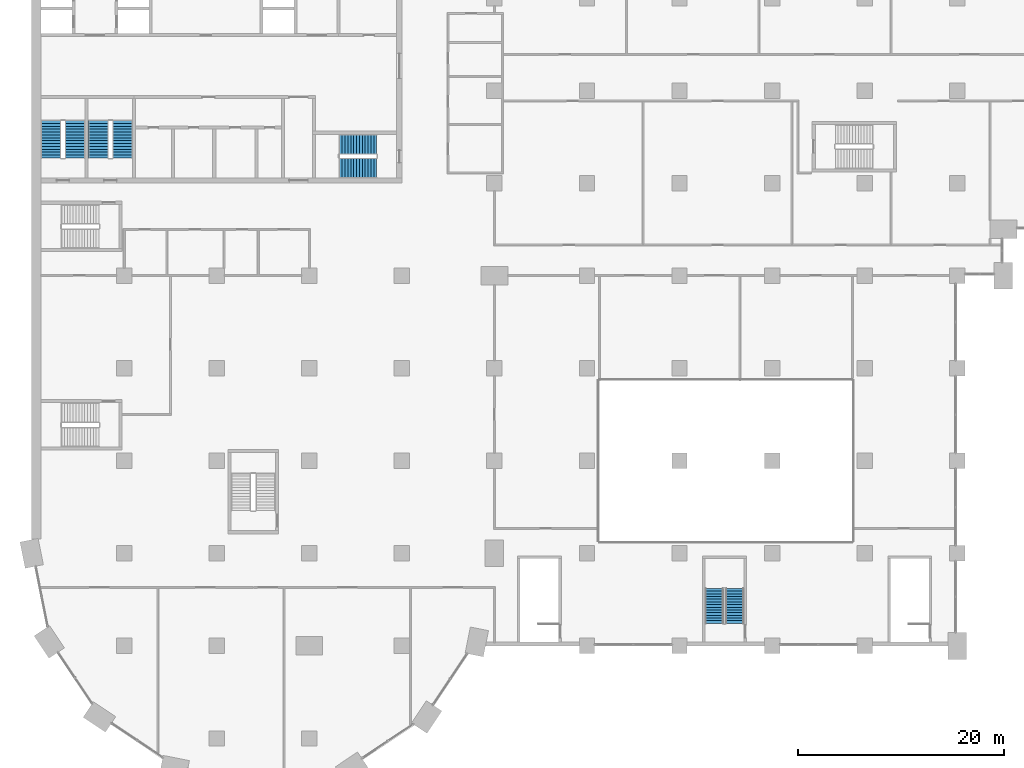
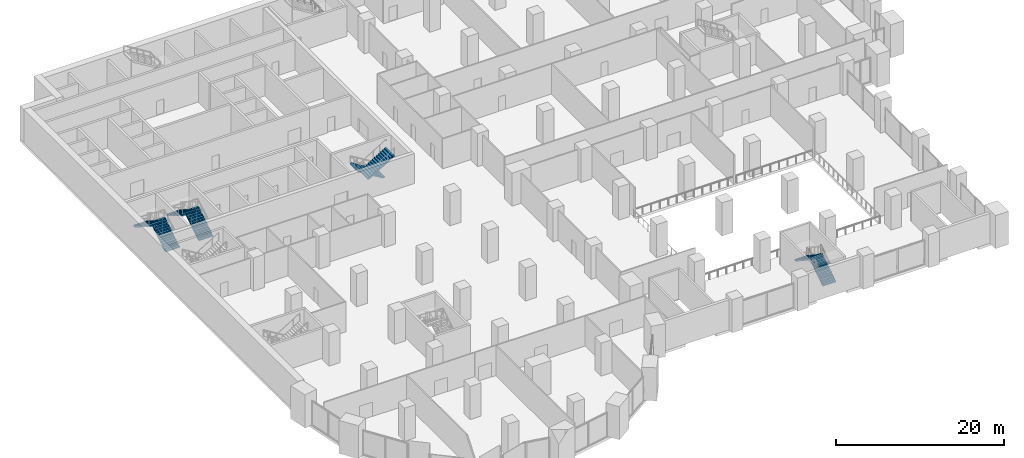
# One storey, part 21 of 32: 8 stair flights, 4 elements without a shape of their own.
"""IFC4 building model written with IfcOpenShell, lengths in metres."""

from ifc_helpers import new_model, si_unit, direction, frame, origin, place, context, subcontext, project, spatial, polyline, outline, extrude, material, type_object, element, aggregate, save


model = new_model("IFC4")

# Units and contexts
model_context = context("Model", 3, precision=1e-05, world=origin(), true_north=direction((0.0, 1.0)))
body_context = subcontext(model_context, "Body", "Model", "MODEL_VIEW")
ifc_project = project(units=[si_unit("LENGTHUNIT", "METRE"), si_unit("AREAUNIT", "SQUARE_METRE"), si_unit("VOLUMEUNIT", "CUBIC_METRE"), si_unit("PLANEANGLEUNIT", "RADIAN"), si_unit("MASSUNIT", "GRAM", prefix="KILO")], contexts=[model_context])

# Site, building, storey
site_placement = place(None, origin())
site = spatial("IfcSite", under=ifc_project, at=site_placement, CompositionType="ELEMENT")
building_placement = place(site_placement, origin())
building = spatial("IfcBuilding", under=site, at=building_placement, Name="Hunhe Ridgeline Campus", CompositionType="ELEMENT")
storey_placement = place(building_placement, frame((0.0, 0.0, 26.39990234375)))
storey = spatial("IfcBuildingStorey", under=building, at=storey_placement, Name="L05", CompositionType="ELEMENT", Elevation=26.39990234375)

# Stair, stair flights
ifc_material = material(Name="Concrete C40", Category="concrete")
stair_type_1 = type_object("IfcStairType", Name="Podium exit stair 1800", PredefinedType="HALF_TURN_STAIR", material=ifc_material)
stair_1_placement = place(storey_placement, origin())
stair_1 = element("IfcStair", 1, at=stair_1_placement, inside=storey, type_object=stair_type_1, Name="L05 podium stair PS2", PredefinedType="HALF_TURN_STAIR")
stair_flight_type_1 = type_object("IfcStairFlightType", Name="Podium stair flight 1800", PredefinedType="STRAIGHT", material=ifc_material)
stair_flight_1_placement = place(storey_placement, frame((68.35009765625, 20.199951171875, 0.0), z_axis=(0.0, 0.0, 1.0), x_axis=(0.0, 1.0, 0.0)))
stair_flight_1 = element("IfcStairFlight", 2, at=stair_flight_1_placement, type_object=stair_flight_type_1, Name="PS2 flight 1", NumberOfRisers=14, NumberOfTreads=13, PredefinedType="STRAIGHT", RiserHeight=0.171428571, TreadLength=0.26, context=body_context, shape_type="SweptSolid", body=[
    extrude(outline(polyline([(0.0, 0.0), (0.0, 0.17138671875), (0.260009765625, 0.17138671875), (0.260009765625, 0.3427734375), (0.52001953125, 0.3427734375), (0.52001953125, 0.514404296875), (0.780029296875, 0.514404296875), (0.780029296875, 0.685791015625), (1.0400390625, 0.685791015625), (1.0400390625, 0.857177734375), (1.300048828125, 0.857177734375), (1.300048828125, 1.028564453125), (1.56005859375, 1.028564453125), (1.56005859375, 1.199951171875), (1.820068359375, 1.199951171875), (1.820068359375, 1.371337890625), (2.080078125, 1.371337890625), (2.080078125, 1.54296875), (2.340087890625, 1.54296875), (2.340087890625, 1.71435546875), (2.60009765625, 1.71435546875), (2.60009765625, 1.8857421875), (2.860107421875, 1.8857421875), (2.860107421875, 2.05712890625), (3.1201171875, 2.05712890625), (3.1201171875, 2.228515625), (3.3798828125, 2.228515625), (3.3798828125, 2.39990234375), (3.3798828125, 2.049072265625), (0.272216796875, 0.0), (0.0, 0.0)])), frame((0.0, 0.89990234375, 0.0), z_axis=(0.0, -1.0, 0.0), x_axis=(1.0, 0.0, 0.0)), (0.0, 0.0, 1.0), 1.800048828125),
])
stair_flight_2_placement = place(storey_placement, frame((66.39990234375, 23.580078125, 2.400146484375), z_axis=(0.0, 0.0, 1.0), x_axis=(0.0, -1.0, 0.0)))
stair_flight_2 = element("IfcStairFlight", 3, at=stair_flight_2_placement, type_object=stair_flight_type_1, Name="PS2 flight 2", NumberOfRisers=14, NumberOfTreads=13, PredefinedType="STRAIGHT", RiserHeight=0.171428571, TreadLength=0.26, context=body_context, shape_type="SweptSolid", body=[
    extrude(outline(polyline([(0.0, 0.0), (0.0, 0.17138671875), (0.260009765625, 0.17138671875), (0.260009765625, 0.3427734375), (0.52001953125, 0.3427734375), (0.52001953125, 0.514404296875), (0.780029296875, 0.514404296875), (0.780029296875, 0.685791015625), (1.0400390625, 0.685791015625), (1.0400390625, 0.857177734375), (1.300048828125, 0.857177734375), (1.300048828125, 1.028564453125), (1.56005859375, 1.028564453125), (1.56005859375, 1.199951171875), (1.820068359375, 1.199951171875), (1.820068359375, 1.371337890625), (2.080078125, 1.371337890625), (2.080078125, 1.54296875), (2.340087890625, 1.54296875), (2.340087890625, 1.71435546875), (2.60009765625, 1.71435546875), (2.60009765625, 1.8857421875), (2.860107421875, 1.8857421875), (2.860107421875, 2.05712890625), (3.1201171875, 2.05712890625), (3.1201171875, 2.228515625), (3.3798828125, 2.228515625), (3.3798828125, 2.39990234375), (3.3798828125, 2.049072265625), (0.272216796875, 0.0), (0.0, 0.0)])), frame((0.0, 0.89990234375, 0.0), z_axis=(0.0, -1.0, 0.0), x_axis=(1.0, 0.0, 0.0)), (0.0, 0.0, 1.0), 1.800048828125),
])
aggregate(stair_1, [stair_flight_1, stair_flight_2])

stair_type_2 = type_object("IfcStairType", Name="Reinforced concrete dog-leg stair 1950 Concrete C40", PredefinedType="HALF_TURN_STAIR", material=ifc_material)
stair_2_placement = place(storey_placement, origin())
stair_2 = element("IfcStair", 4, at=stair_2_placement, inside=storey, type_object=stair_type_2, Name="L05 S2", PredefinedType="HALF_TURN_STAIR")
stair_flight_type_2 = type_object("IfcStairFlightType", Name="Reinforced concrete stair flight 1950 Concrete C40", PredefinedType="STRAIGHT", material=ifc_material)
stair_flight_3_placement = place(storey_placement, frame((33.550048828125, 66.77490234375, 0.0), z_axis=(0.0, 0.0, 1.0), x_axis=(-1.0, 0.0, 0.0)))
stair_flight_3 = element("IfcStairFlight", 5, at=stair_flight_3_placement, type_object=stair_flight_type_2, Name="ST2 flight 1", NumberOfRisers=14, NumberOfTreads=13, PredefinedType="STRAIGHT", RiserHeight=0.171428571, TreadLength=0.28, context=body_context, shape_type="SweptSolid", body=[
    extrude(outline(polyline([(0.0, 0.0), (0.0, 0.17138671875), (0.280029296875, 0.17138671875), (0.280029296875, 0.3427734375), (0.56005859375, 0.3427734375), (0.56005859375, 0.514404296875), (0.840087890625, 0.514404296875), (0.840087890625, 0.685791015625), (1.1201171875, 0.685791015625), (1.1201171875, 0.857177734375), (1.39990234375, 0.857177734375), (1.39990234375, 1.028564453125), (1.679931640625, 1.028564453125), (1.679931640625, 1.199951171875), (1.9599609375, 1.199951171875), (1.9599609375, 1.371337890625), (2.239990234375, 1.371337890625), (2.239990234375, 1.54296875), (2.52001953125, 1.54296875), (2.52001953125, 1.71435546875), (2.800048828125, 1.71435546875), (2.800048828125, 1.8857421875), (3.080078125, 1.8857421875), (3.080078125, 2.05712890625), (3.360107421875, 2.05712890625), (3.360107421875, 2.228515625), (3.639892578125, 2.228515625), (3.639892578125, 2.39990234375), (3.639892578125, 2.052734375), (0.287109375, 0.0), (0.0, 0.0)])), frame((0.0, 0.97509765625, 0.0), z_axis=(0.0, -1.0, 0.0), x_axis=(1.0, 0.0, 0.0)), (0.0, 0.0, 1.0), 1.949951171875),
    extrude(outline(polyline([(0.030029296875, 0.030029296875), (0.030029296875, 0.141357421875), (0.31005859375, 0.141357421875), (0.31005859375, 0.31298828125), (0.590087890625, 0.31298828125), (0.590087890625, 0.484375), (0.8701171875, 0.484375), (0.8701171875, 0.65576171875), (1.14990234375, 0.65576171875), (1.14990234375, 0.8271484375), (1.429931640625, 0.8271484375), (1.429931640625, 0.99853515625), (1.7099609375, 0.99853515625), (1.7099609375, 1.169921875), (1.989990234375, 1.169921875), (1.989990234375, 1.34130859375), (2.27001953125, 1.34130859375), (2.27001953125, 1.512939453125), (2.550048828125, 1.512939453125), (2.550048828125, 1.684326171875), (2.830078125, 1.684326171875), (2.830078125, 1.855712890625), (3.110107421875, 1.855712890625), (3.110107421875, 2.027099609375), (3.389892578125, 2.027099609375), (3.389892578125, 2.198486328125), (3.610107421875, 2.198486328125), (3.610107421875, 2.069580078125), (0.278564453125, 0.030029296875), (0.030029296875, 0.030029296875)])), frame((0.0, -0.070068359375, 0.0), z_axis=(0.0, -1.0, 0.0), x_axis=(1.0, 0.0, 0.0)), (0.0, 0.0, 1.0), 0.019775390625),
    extrude(outline(polyline([(0.030029296875, 0.030029296875), (0.030029296875, 0.141357421875), (0.31005859375, 0.141357421875), (0.31005859375, 0.31298828125), (0.590087890625, 0.31298828125), (0.590087890625, 0.484375), (0.8701171875, 0.484375), (0.8701171875, 0.65576171875), (1.14990234375, 0.65576171875), (1.14990234375, 0.8271484375), (1.429931640625, 0.8271484375), (1.429931640625, 0.99853515625), (1.7099609375, 0.99853515625), (1.7099609375, 1.169921875), (1.989990234375, 1.169921875), (1.989990234375, 1.34130859375), (2.27001953125, 1.34130859375), (2.27001953125, 1.512939453125), (2.550048828125, 1.512939453125), (2.550048828125, 1.684326171875), (2.830078125, 1.684326171875), (2.830078125, 1.855712890625), (3.110107421875, 1.855712890625), (3.110107421875, 2.027099609375), (3.389892578125, 2.027099609375), (3.389892578125, 2.198486328125), (3.610107421875, 2.198486328125), (3.610107421875, 2.069580078125), (0.278564453125, 0.030029296875), (0.030029296875, 0.030029296875)])), frame((0.0, 0.010009765625, 0.0), z_axis=(0.0, -1.0, 0.0), x_axis=(1.0, 0.0, 0.0)), (0.0, 0.0, 1.0), 0.019775390625),
    extrude(outline(polyline([(0.030029296875, 0.030029296875), (0.030029296875, 0.141357421875), (0.31005859375, 0.141357421875), (0.31005859375, 0.31298828125), (0.590087890625, 0.31298828125), (0.590087890625, 0.484375), (0.8701171875, 0.484375), (0.8701171875, 0.65576171875), (1.14990234375, 0.65576171875), (1.14990234375, 0.8271484375), (1.429931640625, 0.8271484375), (1.429931640625, 0.99853515625), (1.7099609375, 0.99853515625), (1.7099609375, 1.169921875), (1.989990234375, 1.169921875), (1.989990234375, 1.34130859375), (2.27001953125, 1.34130859375), (2.27001953125, 1.512939453125), (2.550048828125, 1.512939453125), (2.550048828125, 1.684326171875), (2.830078125, 1.684326171875), (2.830078125, 1.855712890625), (3.110107421875, 1.855712890625), (3.110107421875, 2.027099609375), (3.389892578125, 2.027099609375), (3.389892578125, 2.198486328125), (3.610107421875, 2.198486328125), (3.610107421875, 2.069580078125), (0.278564453125, 0.030029296875), (0.030029296875, 0.030029296875)])), frame((0.0, 0.090087890625, 0.0), z_axis=(0.0, -1.0, 0.0), x_axis=(1.0, 0.0, 0.0)), (0.0, 0.0, 1.0), 0.019775390625),
])
stair_flight_4_placement = place(storey_placement, frame((29.909912109375, 64.47509765625, 2.400146484375), z_axis=(0.0, 0.0, 1.0), x_axis=(1.0, 0.0, 0.0)))
stair_flight_4 = element("IfcStairFlight", 6, at=stair_flight_4_placement, type_object=stair_flight_type_2, Name="ST2 flight 2", NumberOfRisers=14, NumberOfTreads=13, PredefinedType="STRAIGHT", RiserHeight=0.171428571, TreadLength=0.28, context=body_context, shape_type="SweptSolid", body=[
    extrude(outline(polyline([(0.0, 0.0), (0.0, 0.17138671875), (0.280029296875, 0.17138671875), (0.280029296875, 0.3427734375), (0.56005859375, 0.3427734375), (0.56005859375, 0.514404296875), (0.840087890625, 0.514404296875), (0.840087890625, 0.685791015625), (1.1201171875, 0.685791015625), (1.1201171875, 0.857177734375), (1.39990234375, 0.857177734375), (1.39990234375, 1.028564453125), (1.679931640625, 1.028564453125), (1.679931640625, 1.199951171875), (1.9599609375, 1.199951171875), (1.9599609375, 1.371337890625), (2.239990234375, 1.371337890625), (2.239990234375, 1.54296875), (2.52001953125, 1.54296875), (2.52001953125, 1.71435546875), (2.800048828125, 1.71435546875), (2.800048828125, 1.8857421875), (3.080078125, 1.8857421875), (3.080078125, 2.05712890625), (3.360107421875, 2.05712890625), (3.360107421875, 2.228515625), (3.639892578125, 2.228515625), (3.639892578125, 2.39990234375), (3.639892578125, 2.052734375), (0.287109375, 0.0), (0.0, 0.0)])), frame((0.0, 0.97509765625, 0.0), z_axis=(0.0, -1.0, 0.0), x_axis=(1.0, 0.0, 0.0)), (0.0, 0.0, 1.0), 1.949951171875),
    extrude(outline(polyline([(0.030029296875, 0.030029296875), (0.030029296875, 0.141357421875), (0.31005859375, 0.141357421875), (0.31005859375, 0.31298828125), (0.590087890625, 0.31298828125), (0.590087890625, 0.484375), (0.8701171875, 0.484375), (0.8701171875, 0.65576171875), (1.14990234375, 0.65576171875), (1.14990234375, 0.8271484375), (1.429931640625, 0.8271484375), (1.429931640625, 0.99853515625), (1.7099609375, 0.99853515625), (1.7099609375, 1.169921875), (1.989990234375, 1.169921875), (1.989990234375, 1.34130859375), (2.27001953125, 1.34130859375), (2.27001953125, 1.512939453125), (2.550048828125, 1.512939453125), (2.550048828125, 1.684326171875), (2.830078125, 1.684326171875), (2.830078125, 1.855712890625), (3.110107421875, 1.855712890625), (3.110107421875, 2.027099609375), (3.389892578125, 2.027099609375), (3.389892578125, 2.198486328125), (3.610107421875, 2.198486328125), (3.610107421875, 2.069580078125), (0.278564453125, 0.030029296875), (0.030029296875, 0.030029296875)])), frame((0.0, -0.070068359375, 0.0), z_axis=(0.0, -1.0, 0.0), x_axis=(1.0, 0.0, 0.0)), (0.0, 0.0, 1.0), 0.019775390625),
    extrude(outline(polyline([(0.030029296875, 0.030029296875), (0.030029296875, 0.141357421875), (0.31005859375, 0.141357421875), (0.31005859375, 0.31298828125), (0.590087890625, 0.31298828125), (0.590087890625, 0.484375), (0.8701171875, 0.484375), (0.8701171875, 0.65576171875), (1.14990234375, 0.65576171875), (1.14990234375, 0.8271484375), (1.429931640625, 0.8271484375), (1.429931640625, 0.99853515625), (1.7099609375, 0.99853515625), (1.7099609375, 1.169921875), (1.989990234375, 1.169921875), (1.989990234375, 1.34130859375), (2.27001953125, 1.34130859375), (2.27001953125, 1.512939453125), (2.550048828125, 1.512939453125), (2.550048828125, 1.684326171875), (2.830078125, 1.684326171875), (2.830078125, 1.855712890625), (3.110107421875, 1.855712890625), (3.110107421875, 2.027099609375), (3.389892578125, 2.027099609375), (3.389892578125, 2.198486328125), (3.610107421875, 2.198486328125), (3.610107421875, 2.069580078125), (0.278564453125, 0.030029296875), (0.030029296875, 0.030029296875)])), frame((0.0, 0.010009765625, 0.0), z_axis=(0.0, -1.0, 0.0), x_axis=(1.0, 0.0, 0.0)), (0.0, 0.0, 1.0), 0.019775390625),
    extrude(outline(polyline([(0.030029296875, 0.030029296875), (0.030029296875, 0.141357421875), (0.31005859375, 0.141357421875), (0.31005859375, 0.31298828125), (0.590087890625, 0.31298828125), (0.590087890625, 0.484375), (0.8701171875, 0.484375), (0.8701171875, 0.65576171875), (1.14990234375, 0.65576171875), (1.14990234375, 0.8271484375), (1.429931640625, 0.8271484375), (1.429931640625, 0.99853515625), (1.7099609375, 0.99853515625), (1.7099609375, 1.169921875), (1.989990234375, 1.169921875), (1.989990234375, 1.34130859375), (2.27001953125, 1.34130859375), (2.27001953125, 1.512939453125), (2.550048828125, 1.512939453125), (2.550048828125, 1.684326171875), (2.830078125, 1.684326171875), (2.830078125, 1.855712890625), (3.110107421875, 1.855712890625), (3.110107421875, 2.027099609375), (3.389892578125, 2.027099609375), (3.389892578125, 2.198486328125), (3.610107421875, 2.198486328125), (3.610107421875, 2.069580078125), (0.278564453125, 0.030029296875), (0.030029296875, 0.030029296875)])), frame((0.0, 0.090087890625, 0.0), z_axis=(0.0, -1.0, 0.0), x_axis=(1.0, 0.0, 0.0)), (0.0, 0.0, 1.0), 0.019775390625),
])
aggregate(stair_2, [stair_flight_3, stair_flight_4])

stair_3_placement = place(storey_placement, origin())
stair_3 = element("IfcStair", 7, at=stair_3_placement, inside=storey, type_object=stair_type_2, Name="L05 S3", PredefinedType="HALF_TURN_STAIR")
stair_flight_5_placement = place(storey_placement, frame((4.22509765625, 65.449951171875, 0.0), z_axis=(0.0, 0.0, 1.0), x_axis=(0.0, 1.0, 0.0)))
stair_flight_5 = element("IfcStairFlight", 8, at=stair_flight_5_placement, type_object=stair_flight_type_2, Name="ST3 flight 1", NumberOfRisers=14, NumberOfTreads=13, PredefinedType="STRAIGHT", RiserHeight=0.171428571, TreadLength=0.28, context=body_context, shape_type="SweptSolid", body=[
    extrude(outline(polyline([(0.0, 0.0), (0.0, 0.17138671875), (0.280029296875, 0.17138671875), (0.280029296875, 0.3427734375), (0.56005859375, 0.3427734375), (0.56005859375, 0.514404296875), (0.840087890625, 0.514404296875), (0.840087890625, 0.685791015625), (1.1201171875, 0.685791015625), (1.1201171875, 0.857177734375), (1.39990234375, 0.857177734375), (1.39990234375, 1.028564453125), (1.679931640625, 1.028564453125), (1.679931640625, 1.199951171875), (1.9599609375, 1.199951171875), (1.9599609375, 1.371337890625), (2.239990234375, 1.371337890625), (2.239990234375, 1.54296875), (2.52001953125, 1.54296875), (2.52001953125, 1.71435546875), (2.800048828125, 1.71435546875), (2.800048828125, 1.8857421875), (3.080078125, 1.8857421875), (3.080078125, 2.05712890625), (3.360107421875, 2.05712890625), (3.360107421875, 2.228515625), (3.639892578125, 2.228515625), (3.639892578125, 2.39990234375), (3.639892578125, 2.052734375), (0.287109375, 0.0), (0.0, 0.0)])), frame((0.0, 0.97509765625, 0.0), z_axis=(0.0, -1.0, 0.0), x_axis=(1.0, 0.0, 0.0)), (0.0, 0.0, 1.0), 1.949951171875),
    extrude(outline(polyline([(0.030029296875, 0.030029296875), (0.030029296875, 0.141357421875), (0.31005859375, 0.141357421875), (0.31005859375, 0.31298828125), (0.590087890625, 0.31298828125), (0.590087890625, 0.484375), (0.8701171875, 0.484375), (0.8701171875, 0.65576171875), (1.14990234375, 0.65576171875), (1.14990234375, 0.8271484375), (1.429931640625, 0.8271484375), (1.429931640625, 0.99853515625), (1.7099609375, 0.99853515625), (1.7099609375, 1.169921875), (1.989990234375, 1.169921875), (1.989990234375, 1.34130859375), (2.27001953125, 1.34130859375), (2.27001953125, 1.512939453125), (2.550048828125, 1.512939453125), (2.550048828125, 1.684326171875), (2.830078125, 1.684326171875), (2.830078125, 1.855712890625), (3.110107421875, 1.855712890625), (3.110107421875, 2.027099609375), (3.389892578125, 2.027099609375), (3.389892578125, 2.198486328125), (3.610107421875, 2.198486328125), (3.610107421875, 2.069580078125), (0.278564453125, 0.030029296875), (0.030029296875, 0.030029296875)])), frame((0.0, -0.070068359375, 0.0), z_axis=(0.0, -1.0, 0.0), x_axis=(1.0, 0.0, 0.0)), (0.0, 0.0, 1.0), 0.019775390625),
    extrude(outline(polyline([(0.030029296875, 0.030029296875), (0.030029296875, 0.141357421875), (0.31005859375, 0.141357421875), (0.31005859375, 0.31298828125), (0.590087890625, 0.31298828125), (0.590087890625, 0.484375), (0.8701171875, 0.484375), (0.8701171875, 0.65576171875), (1.14990234375, 0.65576171875), (1.14990234375, 0.8271484375), (1.429931640625, 0.8271484375), (1.429931640625, 0.99853515625), (1.7099609375, 0.99853515625), (1.7099609375, 1.169921875), (1.989990234375, 1.169921875), (1.989990234375, 1.34130859375), (2.27001953125, 1.34130859375), (2.27001953125, 1.512939453125), (2.550048828125, 1.512939453125), (2.550048828125, 1.684326171875), (2.830078125, 1.684326171875), (2.830078125, 1.855712890625), (3.110107421875, 1.855712890625), (3.110107421875, 2.027099609375), (3.389892578125, 2.027099609375), (3.389892578125, 2.198486328125), (3.610107421875, 2.198486328125), (3.610107421875, 2.069580078125), (0.278564453125, 0.030029296875), (0.030029296875, 0.030029296875)])), frame((0.0, 0.010009765625, 0.0), z_axis=(0.0, -1.0, 0.0), x_axis=(1.0, 0.0, 0.0)), (0.0, 0.0, 1.0), 0.019775390625),
    extrude(outline(polyline([(0.030029296875, 0.030029296875), (0.030029296875, 0.141357421875), (0.31005859375, 0.141357421875), (0.31005859375, 0.31298828125), (0.590087890625, 0.31298828125), (0.590087890625, 0.484375), (0.8701171875, 0.484375), (0.8701171875, 0.65576171875), (1.14990234375, 0.65576171875), (1.14990234375, 0.8271484375), (1.429931640625, 0.8271484375), (1.429931640625, 0.99853515625), (1.7099609375, 0.99853515625), (1.7099609375, 1.169921875), (1.989990234375, 1.169921875), (1.989990234375, 1.34130859375), (2.27001953125, 1.34130859375), (2.27001953125, 1.512939453125), (2.550048828125, 1.512939453125), (2.550048828125, 1.684326171875), (2.830078125, 1.684326171875), (2.830078125, 1.855712890625), (3.110107421875, 1.855712890625), (3.110107421875, 2.027099609375), (3.389892578125, 2.027099609375), (3.389892578125, 2.198486328125), (3.610107421875, 2.198486328125), (3.610107421875, 2.069580078125), (0.278564453125, 0.030029296875), (0.030029296875, 0.030029296875)])), frame((0.0, 0.090087890625, 0.0), z_axis=(0.0, -1.0, 0.0), x_axis=(1.0, 0.0, 0.0)), (0.0, 0.0, 1.0), 0.019775390625),
])
stair_flight_6_placement = place(storey_placement, frame((1.875, 69.090087890625, 2.400146484375), z_axis=(0.0, 0.0, 1.0), x_axis=(0.0, -1.0, 0.0)))
stair_flight_6 = element("IfcStairFlight", 9, at=stair_flight_6_placement, type_object=stair_flight_type_2, Name="ST3 flight 2", NumberOfRisers=14, NumberOfTreads=13, PredefinedType="STRAIGHT", RiserHeight=0.171428571, TreadLength=0.28, context=body_context, shape_type="SweptSolid", body=[
    extrude(outline(polyline([(0.0, 0.0), (0.0, 0.17138671875), (0.280029296875, 0.17138671875), (0.280029296875, 0.3427734375), (0.56005859375, 0.3427734375), (0.56005859375, 0.514404296875), (0.840087890625, 0.514404296875), (0.840087890625, 0.685791015625), (1.1201171875, 0.685791015625), (1.1201171875, 0.857177734375), (1.39990234375, 0.857177734375), (1.39990234375, 1.028564453125), (1.679931640625, 1.028564453125), (1.679931640625, 1.199951171875), (1.9599609375, 1.199951171875), (1.9599609375, 1.371337890625), (2.239990234375, 1.371337890625), (2.239990234375, 1.54296875), (2.52001953125, 1.54296875), (2.52001953125, 1.71435546875), (2.800048828125, 1.71435546875), (2.800048828125, 1.8857421875), (3.080078125, 1.8857421875), (3.080078125, 2.05712890625), (3.360107421875, 2.05712890625), (3.360107421875, 2.228515625), (3.639892578125, 2.228515625), (3.639892578125, 2.39990234375), (3.639892578125, 2.052734375), (0.287109375, 0.0), (0.0, 0.0)])), frame((0.0, 0.97509765625, 0.0), z_axis=(0.0, -1.0, 0.0), x_axis=(1.0, 0.0, 0.0)), (0.0, 0.0, 1.0), 1.949951171875),
    extrude(outline(polyline([(0.030029296875, 0.030029296875), (0.030029296875, 0.141357421875), (0.31005859375, 0.141357421875), (0.31005859375, 0.31298828125), (0.590087890625, 0.31298828125), (0.590087890625, 0.484375), (0.8701171875, 0.484375), (0.8701171875, 0.65576171875), (1.14990234375, 0.65576171875), (1.14990234375, 0.8271484375), (1.429931640625, 0.8271484375), (1.429931640625, 0.99853515625), (1.7099609375, 0.99853515625), (1.7099609375, 1.169921875), (1.989990234375, 1.169921875), (1.989990234375, 1.34130859375), (2.27001953125, 1.34130859375), (2.27001953125, 1.512939453125), (2.550048828125, 1.512939453125), (2.550048828125, 1.684326171875), (2.830078125, 1.684326171875), (2.830078125, 1.855712890625), (3.110107421875, 1.855712890625), (3.110107421875, 2.027099609375), (3.389892578125, 2.027099609375), (3.389892578125, 2.198486328125), (3.610107421875, 2.198486328125), (3.610107421875, 2.069580078125), (0.278564453125, 0.030029296875), (0.030029296875, 0.030029296875)])), frame((0.0, -0.070068359375, 0.0), z_axis=(0.0, -1.0, 0.0), x_axis=(1.0, 0.0, 0.0)), (0.0, 0.0, 1.0), 0.019775390625),
    extrude(outline(polyline([(0.030029296875, 0.030029296875), (0.030029296875, 0.141357421875), (0.31005859375, 0.141357421875), (0.31005859375, 0.31298828125), (0.590087890625, 0.31298828125), (0.590087890625, 0.484375), (0.8701171875, 0.484375), (0.8701171875, 0.65576171875), (1.14990234375, 0.65576171875), (1.14990234375, 0.8271484375), (1.429931640625, 0.8271484375), (1.429931640625, 0.99853515625), (1.7099609375, 0.99853515625), (1.7099609375, 1.169921875), (1.989990234375, 1.169921875), (1.989990234375, 1.34130859375), (2.27001953125, 1.34130859375), (2.27001953125, 1.512939453125), (2.550048828125, 1.512939453125), (2.550048828125, 1.684326171875), (2.830078125, 1.684326171875), (2.830078125, 1.855712890625), (3.110107421875, 1.855712890625), (3.110107421875, 2.027099609375), (3.389892578125, 2.027099609375), (3.389892578125, 2.198486328125), (3.610107421875, 2.198486328125), (3.610107421875, 2.069580078125), (0.278564453125, 0.030029296875), (0.030029296875, 0.030029296875)])), frame((0.0, 0.010009765625, 0.0), z_axis=(0.0, -1.0, 0.0), x_axis=(1.0, 0.0, 0.0)), (0.0, 0.0, 1.0), 0.019775390625),
    extrude(outline(polyline([(0.030029296875, 0.030029296875), (0.030029296875, 0.141357421875), (0.31005859375, 0.141357421875), (0.31005859375, 0.31298828125), (0.590087890625, 0.31298828125), (0.590087890625, 0.484375), (0.8701171875, 0.484375), (0.8701171875, 0.65576171875), (1.14990234375, 0.65576171875), (1.14990234375, 0.8271484375), (1.429931640625, 0.8271484375), (1.429931640625, 0.99853515625), (1.7099609375, 0.99853515625), (1.7099609375, 1.169921875), (1.989990234375, 1.169921875), (1.989990234375, 1.34130859375), (2.27001953125, 1.34130859375), (2.27001953125, 1.512939453125), (2.550048828125, 1.512939453125), (2.550048828125, 1.684326171875), (2.830078125, 1.684326171875), (2.830078125, 1.855712890625), (3.110107421875, 1.855712890625), (3.110107421875, 2.027099609375), (3.389892578125, 2.027099609375), (3.389892578125, 2.198486328125), (3.610107421875, 2.198486328125), (3.610107421875, 2.069580078125), (0.278564453125, 0.030029296875), (0.030029296875, 0.030029296875)])), frame((0.0, 0.090087890625, 0.0), z_axis=(0.0, -1.0, 0.0), x_axis=(1.0, 0.0, 0.0)), (0.0, 0.0, 1.0), 0.019775390625),
])
aggregate(stair_3, [stair_flight_5, stair_flight_6])

stair_4_placement = place(storey_placement, origin())
stair_4 = element("IfcStair", 10, at=stair_4_placement, inside=storey, type_object=stair_type_2, Name="L05 S4", PredefinedType="HALF_TURN_STAIR")
stair_flight_7_placement = place(storey_placement, frame((8.824951171875, 65.449951171875, 0.0), z_axis=(0.0, 0.0, 1.0), x_axis=(0.0, 1.0, 0.0)))
stair_flight_7 = element("IfcStairFlight", 11, at=stair_flight_7_placement, type_object=stair_flight_type_2, Name="ST4 flight 1", NumberOfRisers=14, NumberOfTreads=13, PredefinedType="STRAIGHT", RiserHeight=0.171428571, TreadLength=0.28, context=body_context, shape_type="SweptSolid", body=[
    extrude(outline(polyline([(0.0, 0.0), (0.0, 0.17138671875), (0.280029296875, 0.17138671875), (0.280029296875, 0.3427734375), (0.56005859375, 0.3427734375), (0.56005859375, 0.514404296875), (0.840087890625, 0.514404296875), (0.840087890625, 0.685791015625), (1.1201171875, 0.685791015625), (1.1201171875, 0.857177734375), (1.39990234375, 0.857177734375), (1.39990234375, 1.028564453125), (1.679931640625, 1.028564453125), (1.679931640625, 1.199951171875), (1.9599609375, 1.199951171875), (1.9599609375, 1.371337890625), (2.239990234375, 1.371337890625), (2.239990234375, 1.54296875), (2.52001953125, 1.54296875), (2.52001953125, 1.71435546875), (2.800048828125, 1.71435546875), (2.800048828125, 1.8857421875), (3.080078125, 1.8857421875), (3.080078125, 2.05712890625), (3.360107421875, 2.05712890625), (3.360107421875, 2.228515625), (3.639892578125, 2.228515625), (3.639892578125, 2.39990234375), (3.639892578125, 2.052734375), (0.287109375, 0.0), (0.0, 0.0)])), frame((0.0, 0.97509765625, 0.0), z_axis=(0.0, -1.0, 0.0), x_axis=(1.0, 0.0, 0.0)), (0.0, 0.0, 1.0), 1.949951171875),
    extrude(outline(polyline([(0.030029296875, 0.030029296875), (0.030029296875, 0.141357421875), (0.31005859375, 0.141357421875), (0.31005859375, 0.31298828125), (0.590087890625, 0.31298828125), (0.590087890625, 0.484375), (0.8701171875, 0.484375), (0.8701171875, 0.65576171875), (1.14990234375, 0.65576171875), (1.14990234375, 0.8271484375), (1.429931640625, 0.8271484375), (1.429931640625, 0.99853515625), (1.7099609375, 0.99853515625), (1.7099609375, 1.169921875), (1.989990234375, 1.169921875), (1.989990234375, 1.34130859375), (2.27001953125, 1.34130859375), (2.27001953125, 1.512939453125), (2.550048828125, 1.512939453125), (2.550048828125, 1.684326171875), (2.830078125, 1.684326171875), (2.830078125, 1.855712890625), (3.110107421875, 1.855712890625), (3.110107421875, 2.027099609375), (3.389892578125, 2.027099609375), (3.389892578125, 2.198486328125), (3.610107421875, 2.198486328125), (3.610107421875, 2.069580078125), (0.278564453125, 0.030029296875), (0.030029296875, 0.030029296875)])), frame((0.0, -0.070068359375, 0.0), z_axis=(0.0, -1.0, 0.0), x_axis=(1.0, 0.0, 0.0)), (0.0, 0.0, 1.0), 0.019775390625),
    extrude(outline(polyline([(0.030029296875, 0.030029296875), (0.030029296875, 0.141357421875), (0.31005859375, 0.141357421875), (0.31005859375, 0.31298828125), (0.590087890625, 0.31298828125), (0.590087890625, 0.484375), (0.8701171875, 0.484375), (0.8701171875, 0.65576171875), (1.14990234375, 0.65576171875), (1.14990234375, 0.8271484375), (1.429931640625, 0.8271484375), (1.429931640625, 0.99853515625), (1.7099609375, 0.99853515625), (1.7099609375, 1.169921875), (1.989990234375, 1.169921875), (1.989990234375, 1.34130859375), (2.27001953125, 1.34130859375), (2.27001953125, 1.512939453125), (2.550048828125, 1.512939453125), (2.550048828125, 1.684326171875), (2.830078125, 1.684326171875), (2.830078125, 1.855712890625), (3.110107421875, 1.855712890625), (3.110107421875, 2.027099609375), (3.389892578125, 2.027099609375), (3.389892578125, 2.198486328125), (3.610107421875, 2.198486328125), (3.610107421875, 2.069580078125), (0.278564453125, 0.030029296875), (0.030029296875, 0.030029296875)])), frame((0.0, 0.010009765625, 0.0), z_axis=(0.0, -1.0, 0.0), x_axis=(1.0, 0.0, 0.0)), (0.0, 0.0, 1.0), 0.019775390625),
    extrude(outline(polyline([(0.030029296875, 0.030029296875), (0.030029296875, 0.141357421875), (0.31005859375, 0.141357421875), (0.31005859375, 0.31298828125), (0.590087890625, 0.31298828125), (0.590087890625, 0.484375), (0.8701171875, 0.484375), (0.8701171875, 0.65576171875), (1.14990234375, 0.65576171875), (1.14990234375, 0.8271484375), (1.429931640625, 0.8271484375), (1.429931640625, 0.99853515625), (1.7099609375, 0.99853515625), (1.7099609375, 1.169921875), (1.989990234375, 1.169921875), (1.989990234375, 1.34130859375), (2.27001953125, 1.34130859375), (2.27001953125, 1.512939453125), (2.550048828125, 1.512939453125), (2.550048828125, 1.684326171875), (2.830078125, 1.684326171875), (2.830078125, 1.855712890625), (3.110107421875, 1.855712890625), (3.110107421875, 2.027099609375), (3.389892578125, 2.027099609375), (3.389892578125, 2.198486328125), (3.610107421875, 2.198486328125), (3.610107421875, 2.069580078125), (0.278564453125, 0.030029296875), (0.030029296875, 0.030029296875)])), frame((0.0, 0.090087890625, 0.0), z_axis=(0.0, -1.0, 0.0), x_axis=(1.0, 0.0, 0.0)), (0.0, 0.0, 1.0), 0.019775390625),
])
stair_flight_8_placement = place(storey_placement, frame((6.47509765625, 69.090087890625, 2.400146484375), z_axis=(0.0, 0.0, 1.0), x_axis=(0.0, -1.0, 0.0)))
stair_flight_8 = element("IfcStairFlight", 12, at=stair_flight_8_placement, type_object=stair_flight_type_2, Name="ST4 flight 2", NumberOfRisers=14, NumberOfTreads=13, PredefinedType="STRAIGHT", RiserHeight=0.171428571, TreadLength=0.28, context=body_context, shape_type="SweptSolid", body=[
    extrude(outline(polyline([(0.0, 0.0), (0.0, 0.17138671875), (0.280029296875, 0.17138671875), (0.280029296875, 0.3427734375), (0.56005859375, 0.3427734375), (0.56005859375, 0.514404296875), (0.840087890625, 0.514404296875), (0.840087890625, 0.685791015625), (1.1201171875, 0.685791015625), (1.1201171875, 0.857177734375), (1.39990234375, 0.857177734375), (1.39990234375, 1.028564453125), (1.679931640625, 1.028564453125), (1.679931640625, 1.199951171875), (1.9599609375, 1.199951171875), (1.9599609375, 1.371337890625), (2.239990234375, 1.371337890625), (2.239990234375, 1.54296875), (2.52001953125, 1.54296875), (2.52001953125, 1.71435546875), (2.800048828125, 1.71435546875), (2.800048828125, 1.8857421875), (3.080078125, 1.8857421875), (3.080078125, 2.05712890625), (3.360107421875, 2.05712890625), (3.360107421875, 2.228515625), (3.639892578125, 2.228515625), (3.639892578125, 2.39990234375), (3.639892578125, 2.052734375), (0.287109375, 0.0), (0.0, 0.0)])), frame((0.0, 0.97509765625, 0.0), z_axis=(0.0, -1.0, 0.0), x_axis=(1.0, 0.0, 0.0)), (0.0, 0.0, 1.0), 1.949951171875),
    extrude(outline(polyline([(0.030029296875, 0.030029296875), (0.030029296875, 0.141357421875), (0.31005859375, 0.141357421875), (0.31005859375, 0.31298828125), (0.590087890625, 0.31298828125), (0.590087890625, 0.484375), (0.8701171875, 0.484375), (0.8701171875, 0.65576171875), (1.14990234375, 0.65576171875), (1.14990234375, 0.8271484375), (1.429931640625, 0.8271484375), (1.429931640625, 0.99853515625), (1.7099609375, 0.99853515625), (1.7099609375, 1.169921875), (1.989990234375, 1.169921875), (1.989990234375, 1.34130859375), (2.27001953125, 1.34130859375), (2.27001953125, 1.512939453125), (2.550048828125, 1.512939453125), (2.550048828125, 1.684326171875), (2.830078125, 1.684326171875), (2.830078125, 1.855712890625), (3.110107421875, 1.855712890625), (3.110107421875, 2.027099609375), (3.389892578125, 2.027099609375), (3.389892578125, 2.198486328125), (3.610107421875, 2.198486328125), (3.610107421875, 2.069580078125), (0.278564453125, 0.030029296875), (0.030029296875, 0.030029296875)])), frame((0.0, -0.070068359375, 0.0), z_axis=(0.0, -1.0, 0.0), x_axis=(1.0, 0.0, 0.0)), (0.0, 0.0, 1.0), 0.019775390625),
    extrude(outline(polyline([(0.030029296875, 0.030029296875), (0.030029296875, 0.141357421875), (0.31005859375, 0.141357421875), (0.31005859375, 0.31298828125), (0.590087890625, 0.31298828125), (0.590087890625, 0.484375), (0.8701171875, 0.484375), (0.8701171875, 0.65576171875), (1.14990234375, 0.65576171875), (1.14990234375, 0.8271484375), (1.429931640625, 0.8271484375), (1.429931640625, 0.99853515625), (1.7099609375, 0.99853515625), (1.7099609375, 1.169921875), (1.989990234375, 1.169921875), (1.989990234375, 1.34130859375), (2.27001953125, 1.34130859375), (2.27001953125, 1.512939453125), (2.550048828125, 1.512939453125), (2.550048828125, 1.684326171875), (2.830078125, 1.684326171875), (2.830078125, 1.855712890625), (3.110107421875, 1.855712890625), (3.110107421875, 2.027099609375), (3.389892578125, 2.027099609375), (3.389892578125, 2.198486328125), (3.610107421875, 2.198486328125), (3.610107421875, 2.069580078125), (0.278564453125, 0.030029296875), (0.030029296875, 0.030029296875)])), frame((0.0, 0.010009765625, 0.0), z_axis=(0.0, -1.0, 0.0), x_axis=(1.0, 0.0, 0.0)), (0.0, 0.0, 1.0), 0.019775390625),
    extrude(outline(polyline([(0.030029296875, 0.030029296875), (0.030029296875, 0.141357421875), (0.31005859375, 0.141357421875), (0.31005859375, 0.31298828125), (0.590087890625, 0.31298828125), (0.590087890625, 0.484375), (0.8701171875, 0.484375), (0.8701171875, 0.65576171875), (1.14990234375, 0.65576171875), (1.14990234375, 0.8271484375), (1.429931640625, 0.8271484375), (1.429931640625, 0.99853515625), (1.7099609375, 0.99853515625), (1.7099609375, 1.169921875), (1.989990234375, 1.169921875), (1.989990234375, 1.34130859375), (2.27001953125, 1.34130859375), (2.27001953125, 1.512939453125), (2.550048828125, 1.512939453125), (2.550048828125, 1.684326171875), (2.830078125, 1.684326171875), (2.830078125, 1.855712890625), (3.110107421875, 1.855712890625), (3.110107421875, 2.027099609375), (3.389892578125, 2.027099609375), (3.389892578125, 2.198486328125), (3.610107421875, 2.198486328125), (3.610107421875, 2.069580078125), (0.278564453125, 0.030029296875), (0.030029296875, 0.030029296875)])), frame((0.0, 0.090087890625, 0.0), z_axis=(0.0, -1.0, 0.0), x_axis=(1.0, 0.0, 0.0)), (0.0, 0.0, 1.0), 0.019775390625),
])
aggregate(stair_4, [stair_flight_7, stair_flight_8])

save(model, "model.ifc")
